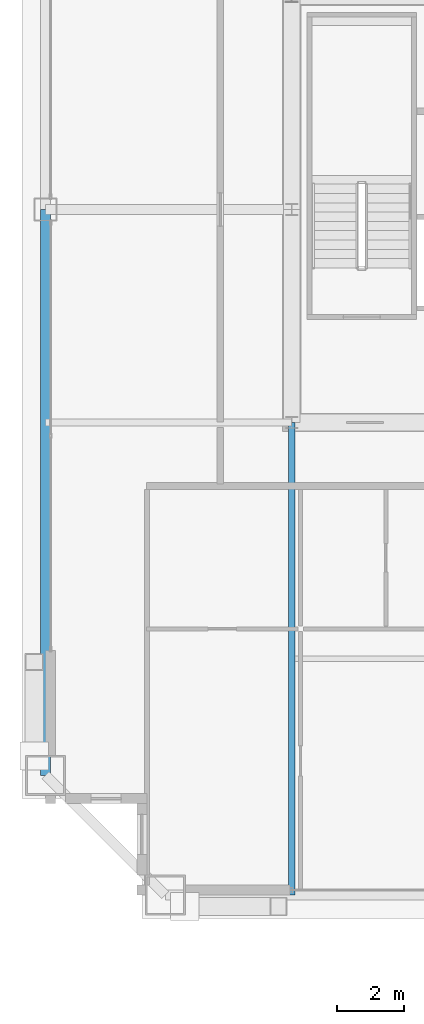
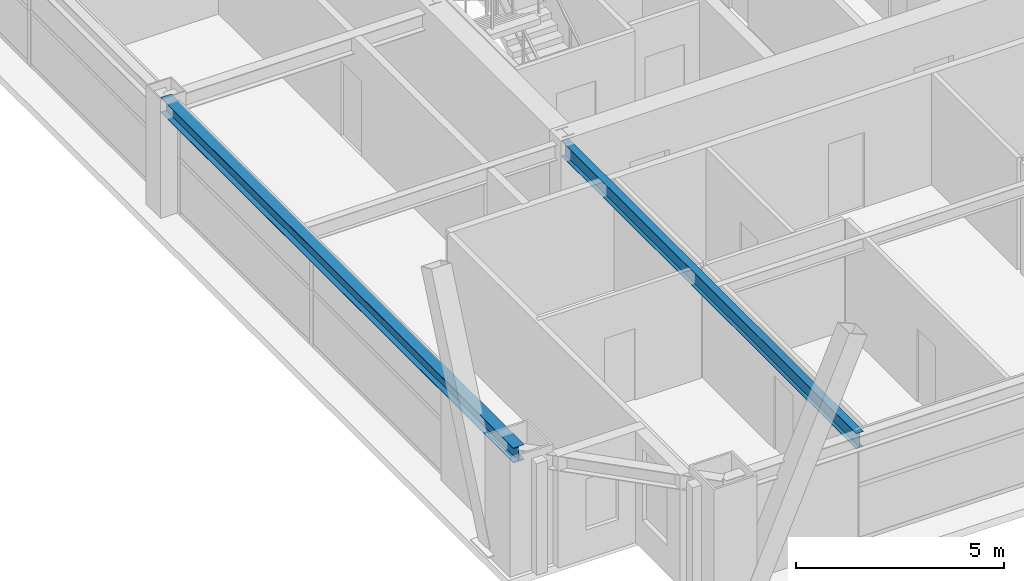
# One storey, part 8 of 37: 2 beams.
"""IFC4 building model written with IfcOpenShell, lengths in metres."""

import ifcopenshell
import ifcopenshell.guid

model = None  # the IFC model being written
_history = None  # IfcOwnerHistory: only IFC2X3 demands one
_inside = {}  # id of a spatial element -> (the spatial element, [elements in it])
_under = {}  # id of a project, library or spatial element -> (it, [spatial elements below it])
_declared = {}  # id of a project -> (the project, [libraries it declares])
_typed = {}  # id of a type object -> (the type object, [elements of that type])
_made_of = {}  # id of a material, layer set ... -> (it, [elements and type objects made of it])


def new_model(schema):
    """Start an empty IFC model of exactly this schema.

    Asked for "IFC4X3", IfcOpenShell would pick the latest addendum, in which some entities
    have other attributes; the version numbers below select the first issue.
    IFC2X3 requires an IfcOwnerHistory on every rooted entity: one is made here for all.
    """
    global model, _history
    if schema == "IFC4X3":
        model = ifcopenshell.file(schema_version=(4, 3, 0, 0))
    else:
        model = ifcopenshell.file(schema=schema)
    _inside.clear()
    _under.clear()
    _declared.clear()
    _typed.clear()
    _made_of.clear()
    _history = None
    if model.schema == "IFC2X3":
        org = make("IfcOrganization", Name="unknown")
        user = make(
            "IfcPersonAndOrganization",
            ThePerson=make("IfcPerson", FamilyName="unknown"),
            TheOrganization=org,
        )
        app = make(
            "IfcApplication",
            ApplicationDeveloper=org,
            Version="unknown",
            ApplicationFullName="unknown",
            ApplicationIdentifier="unknown",
        )
        _history = make(
            "IfcOwnerHistory",
            OwningUser=user,
            OwningApplication=app,
            ChangeAction="ADDED",
            CreationDate=0,
        )
    return model


def make(cls, **values):
    """One entity of the class cls with the attributes given. An attribute that is None is left unset."""
    return model.create_entity(
        cls, **{name: value for name, value in values.items() if value is not None}
    )


def rooted(cls, **values):
    """An entity with a GlobalId (a new one), such as an element, a storey or a relation."""
    return make(cls, GlobalId=ifcopenshell.guid.new(), OwnerHistory=_history, **values)


def si_unit(unit_type, name, prefix=None):
    """IfcSIUnit, for example si_unit("LENGTHUNIT", "METRE", prefix="MILLI")."""
    return make("IfcSIUnit", UnitType=unit_type, Prefix=prefix, Name=name)


def assignment(units):
    """IfcUnitAssignment: the units of a project."""
    return None if units is None else make("IfcUnitAssignment", Units=units)


def point(xyz):
    """IfcCartesianPoint."""
    return None if xyz is None else make("IfcCartesianPoint", Coordinates=xyz)


def direction(xyz):
    """IfcDirection."""
    return None if xyz is None else make("IfcDirection", DirectionRatios=xyz)


def frame(location, z_axis=None, x_axis=None):
    """IfcAxis2Placement3D, a coordinate frame: its origin and axes. An axis left out is left unset."""
    return make(
        "IfcAxis2Placement3D",
        Location=point(location),
        Axis=direction(z_axis),
        RefDirection=direction(x_axis),
    )


def frame_2d(location, x_axis=None):
    """IfcAxis2Placement2D, a coordinate frame in the plane: its origin and x axis."""
    return make(
        "IfcAxis2Placement2D", Location=point(location), RefDirection=direction(x_axis)
    )


def origin():
    """The frame at (0, 0, 0) with its axes left unset."""
    return frame((0.0, 0.0, 0.0))


def origin_2d():
    """The frame at (0, 0) in the plane with its x axis left unset."""
    return frame_2d((0.0, 0.0))


def place(relative_to, where):
    """IfcLocalPlacement: puts the frame where relative to a parent placement (None: the world)."""
    return make(
        "IfcLocalPlacement", PlacementRelTo=relative_to, RelativePlacement=where
    )


def context(
    kind, dimensions, precision=None, world=None, true_north=None, identifier=None
):
    """IfcGeometricRepresentationContext, for example the 3D "Model" context."""
    return make(
        "IfcGeometricRepresentationContext",
        ContextIdentifier=identifier,
        ContextType=kind,
        CoordinateSpaceDimension=dimensions,
        Precision=precision,
        WorldCoordinateSystem=world,
        TrueNorth=true_north,
    )


def subcontext(parent, identifier, kind, view, scale=None):
    """IfcGeometricRepresentationSubContext, for example "Body" below "Model"."""
    return make(
        "IfcGeometricRepresentationSubContext",
        ContextIdentifier=identifier,
        ContextType=kind,
        ParentContext=parent,
        TargetScale=scale,
        TargetView=view,
    )


def project(units=None, contexts=None):
    """IfcProject with its units and contexts."""
    return rooted(
        "IfcProject",
        Name="project",
        RepresentationContexts=contexts,
        UnitsInContext=assignment(units),
    )


def spatial(cls, under=None, at=None, **own):
    """A site, building, storey or space (cls), placed at a placement, below another one or the project."""
    s = rooted(cls, ObjectPlacement=at, **own)
    if under is not None:
        _under.setdefault(under.id(), (under, []))[1].append(s)
    return s


def profile(cls, at=None, kind="AREA", **sizes):
    """A parametric profile (cls). Its sizes go by their IFC names, for example OverallWidth=200.0."""
    return make(cls, ProfileType=kind, Position=at, **sizes)


def i_section(**sizes):
    """IfcIShapeProfileDef."""
    return profile("IfcIShapeProfileDef", **sizes)


def extrude(swept, where, along, depth):
    """IfcExtrudedAreaSolid: the profile swept, set in the frame where, extruded along a direction by depth."""
    return make(
        "IfcExtrudedAreaSolid",
        SweptArea=swept,
        Position=where,
        ExtrudedDirection=direction(along),
        Depth=depth,
    )


def shape(context_of_items, identifier, shape_type, items):
    """IfcShapeRepresentation: the items that make up one representation, for example the "Body"."""
    return make(
        "IfcShapeRepresentation",
        ContextOfItems=context_of_items,
        RepresentationIdentifier=identifier,
        RepresentationType=shape_type,
        Items=items,
    )


def source(mapping_origin, context_of_items, identifier, shape_type, items):
    """IfcRepresentationMap: a shape defined once, which mapped items show again and again."""
    return make(
        "IfcRepresentationMap",
        MappingOrigin=mapping_origin,
        MappedRepresentation=shape(context_of_items, identifier, shape_type, items),
    )


def transform(
    local_origin,
    x_axis=None,
    y_axis=None,
    z_axis=None,
    scale=None,
    scale2=None,
    scale3=None,
    uniform=True,
):
    """IfcCartesianTransformationOperator3D, or its non-uniform kind. x_axis, y_axis, z_axis: its Axis1, 2, 3."""
    if uniform:
        return make(
            "IfcCartesianTransformationOperator3D",
            Axis1=direction(x_axis),
            Axis2=direction(y_axis),
            LocalOrigin=point(local_origin),
            Scale=scale,
            Axis3=direction(z_axis),
        )
    return make(
        "IfcCartesianTransformationOperator3DnonUniform",
        Axis1=direction(x_axis),
        Axis2=direction(y_axis),
        LocalOrigin=point(local_origin),
        Scale=scale,
        Axis3=direction(z_axis),
        Scale2=scale2,
        Scale3=scale3,
    )


def mapped(mapping_source, mapping_target):
    """IfcMappedItem: shows the shape of a source again, moved by a transform."""
    return make(
        "IfcMappedItem", MappingSource=mapping_source, MappingTarget=mapping_target
    )


def material(Name=None, Category=None):
    """IfcMaterial."""
    return make("IfcMaterial", Name=Name, Category=Category)


def material_profile(
    of_material, cross_section, Name=None, Category=None, Priority=None
):
    """IfcMaterialProfile: a cross section and its material."""
    return make(
        "IfcMaterialProfile",
        Name=Name,
        Material=of_material,
        Profile=cross_section,
        Priority=Priority,
        Category=Category,
    )


def profile_set(profiles, Name=None, composite=None):
    """IfcMaterialProfileSet."""
    return make(
        "IfcMaterialProfileSet",
        Name=Name,
        MaterialProfiles=profiles,
        CompositeProfile=composite,
    )


def made_of(thing, what):
    """Note that an element or type object is made of a material, layer set ...; save() writes the relation."""
    if what is not None:
        _made_of.setdefault(what.id(), (what, []))[1].append(thing)
    return thing


def type_object(cls, material=None, **own):
    """A type object (cls), such as IfcWallType, which elements share."""
    return made_of(rooted(cls, **own), material)


def element(
    cls,
    number,
    at=None,
    inside=None,
    cuts=None,
    type_object=None,
    material=None,
    context=None,
    identifier="Body",
    shape_type=None,
    held_by="IfcProductDefinitionShape",
    body=None,
    shapes=None,
    **own,
):
    """One element of the class cls, such as IfcWall. Its Tag is "e" and its number.

    at: its placement. inside: the storey or other place that contains it. cuts: it is an
    opening in that element (IfcRelVoidsElement). A single representation is given by context,
    identifier, shape_type and body (its items); several are given by shapes. held_by: the class
    of the entity that holds the representations. save() writes the other relations.
    """
    e = rooted(cls, Tag="e%d" % number, ObjectPlacement=at, **own)
    if body is not None:
        shapes = [shape(context, identifier, shape_type, body)]
    if shapes is not None:
        e.Representation = make(held_by, Representations=shapes)
    if inside is not None:
        _inside.setdefault(inside.id(), (inside, []))[1].append(e)
    if cuts is not None:
        rooted(
            "IfcRelVoidsElement", RelatingBuildingElement=cuts, RelatedOpeningElement=e
        )
    if type_object is not None:
        _typed.setdefault(type_object.id(), (type_object, []))[1].append(e)
    return made_of(e, material)


def aggregate(whole, parts):
    """IfcRelAggregates: a whole, such as a stair, and the parts it consists of."""
    return rooted("IfcRelAggregates", RelatingObject=whole, RelatedObjects=parts)


def save(model, path):
    """Write the relations noted so far, then the file.

    IfcRelAggregates (storeys below a building ...), IfcRelContainedInSpatialStructure (elements
    in a storey), IfcRelDefinesByType, IfcRelAssociatesMaterial and IfcRelDeclares: one each for
    every whole, place, type object, material and project.
    """
    for whole, parts in _under.values():
        aggregate(whole, parts)
    for where, things in _inside.values():
        rooted(
            "IfcRelContainedInSpatialStructure",
            RelatedElements=things,
            RelatingStructure=where,
        )
    for kind, things in _typed.values():
        rooted("IfcRelDefinesByType", RelatedObjects=things, RelatingType=kind)
    for what, things in _made_of.values():
        rooted("IfcRelAssociatesMaterial", RelatedObjects=things, RelatingMaterial=what)
    for by, libraries in _declared.values():
        rooted("IfcRelDeclares", RelatingContext=by, RelatedDefinitions=libraries)
    model.write(path)


model = new_model("IFC4")

# Units and contexts
model_context = context("Model", 3, precision=1e-05, world=origin(), true_north=direction((0.0, 1.0)))
body_context = subcontext(model_context, "Body", "Model", "MODEL_VIEW")
ifc_project = project(units=[si_unit("LENGTHUNIT", "METRE"), si_unit("AREAUNIT", "SQUARE_METRE"), si_unit("VOLUMEUNIT", "CUBIC_METRE"), si_unit("PLANEANGLEUNIT", "RADIAN"), si_unit("MASSUNIT", "GRAM", prefix="KILO"), si_unit("THERMODYNAMICTEMPERATUREUNIT", "KELVIN"), si_unit("POWERUNIT", "WATT")], contexts=[model_context])

# Site, building, storey
site_placement = place(None, origin())
site = spatial("IfcSite", under=ifc_project, at=site_placement, CompositionType="ELEMENT")
building_placement = place(site_placement, origin())
building = spatial("IfcBuilding", under=site, at=building_placement, Name="Yuzanri Waterfront Tower", CompositionType="ELEMENT")
storey_placement = place(building_placement, frame((0.0, 0.0, 278.60009765625)))
storey = spatial("IfcBuildingStorey", under=building, at=storey_placement, Name="L74", CompositionType="ELEMENT", Elevation=278.60009765625)

# Beams
ifc_material_1 = material(Name="Steel Q355B", Category="steel")
ifc_material_profile_1 = material_profile(ifc_material_1, i_section(OverallWidth=0.300048828125, OverallDepth=0.43994140625, WebThickness=0.010986328125, FlangeThickness=0.01806640625, at=origin_2d()), Name="HM 440x300x11x18")
ifc_profile_set_1 = profile_set([ifc_material_profile_1], Name="Steel Q355B")
beam_type_1 = type_object("IfcBeamType", Name="Perimeter Spandrel Q355B HM 440x300", PredefinedType="SPANDREL", material=ifc_profile_set_1)
shared_shape_1 = source(origin(), body_context, "Body", "SweptSolid", [
    extrude(i_section(OverallWidth=0.300048828125, OverallDepth=0.43994140625, WebThickness=0.010986328125, FlangeThickness=0.01806640625, at=origin_2d()), origin(), (0.0, 0.0, 1.0), 17.0),
])
beam_1_placement = place(storey_placement, frame((16.39990234375, 25.800048828125, 3.059814453125), z_axis=(0.0, -1.0, 0.0), x_axis=(1.0, 0.0, 0.0)))
element("IfcBeam", 1, at=beam_1_placement, inside=storey, type_object=beam_type_1, Name="L74 Perimeter Spandrel W2-W1", PredefinedType="SPANDREL", context=body_context, shape_type="MappedRepresentation", body=[
    mapped(shared_shape_1, transform((0.0, 0.0, 0.0), scale=1.0)),
])
ifc_material_2 = material(Name="Steel Q355B", Category="steel")
ifc_material_profile_2 = material_profile(ifc_material_2, i_section(OverallWidth=0.199951171875, OverallDepth=0.449951171875, WebThickness=0.009033203125, FlangeThickness=0.013916015625, at=origin_2d()), Name="HN 450x200x9x14")
ifc_profile_set_2 = profile_set([ifc_material_profile_2], Name="Steel Q355B")
beam_type_2 = type_object("IfcBeamType", Name="Secondary Floor Beam Q355B HN 450x200", PredefinedType="BEAM", material=ifc_profile_set_2)
shared_shape_2 = source(origin(), body_context, "Body", "SweptSolid", [
    extrude(i_section(OverallWidth=0.199951171875, OverallDepth=0.449951171875, WebThickness=0.009033203125, FlangeThickness=0.013916015625, at=origin_2d()), origin(), (0.0, 0.0, 1.0), 14.199951171875),
])
beam_2_placement = place(storey_placement, frame((23.800048828125, 19.39990234375, 3.054931640625), z_axis=(0.0, -1.0, 0.0), x_axis=(1.0, 0.0, 0.0)))
element("IfcBeam", 2, at=beam_2_placement, inside=storey, type_object=beam_type_2, Name="L74 South-West Core Line Beam", PredefinedType="BEAM", context=body_context, shape_type="MappedRepresentation", body=[
    mapped(shared_shape_2, transform((0.0, 0.0, 0.0), scale=1.0)),
])

save(model, "model.ifc")
